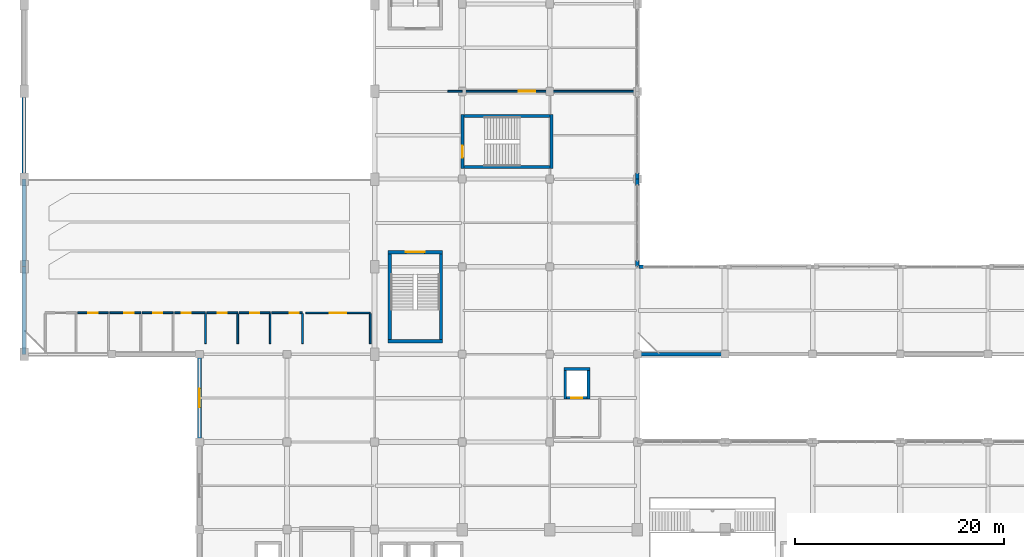
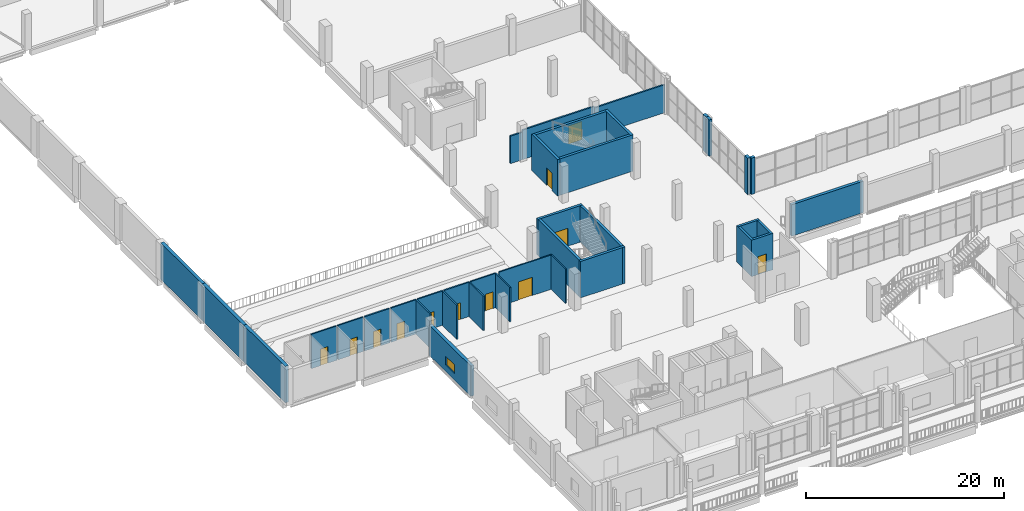
# One storey, part 58 of 75: 37 walls, 12 doors, 1 window, 13 openings.
"""IFC4 building model written with IfcOpenShell, lengths in metres."""

from ifc_helpers import new_model, si_unit, derived_unit, direction, frame, frame_2d, origin, place, context, subcontext, project, spatial, rectangle, extrude, material, layer, layer_set, type_object, element, fill, save


model = new_model("IFC4")

# Units and contexts
model_context = context("Model", 3, precision=1e-05, world=origin(), true_north=direction((0.0, 1.0)))
body_context = subcontext(model_context, "Body", "Model", "MODEL_VIEW")
ifc_project = project(units=[si_unit("LENGTHUNIT", "METRE"), si_unit("AREAUNIT", "SQUARE_METRE"), si_unit("VOLUMEUNIT", "CUBIC_METRE"), si_unit("PLANEANGLEUNIT", "RADIAN"), si_unit("MASSUNIT", "GRAM", prefix="KILO"), derived_unit("THERMALTRANSMITTANCEUNIT", [(si_unit("POWERUNIT", "WATT"), 1), (si_unit("LENGTHUNIT", "METRE"), -2), (si_unit("THERMODYNAMICTEMPERATUREUNIT", "KELVIN"), -1)])], contexts=[model_context])

# Site, building, storey
site_placement = place(None, origin())
site = spatial("IfcSite", under=ifc_project, at=site_placement, CompositionType="ELEMENT")
building_placement = place(site_placement, origin())
building = spatial("IfcBuilding", under=site, at=building_placement, Name="Barrovel Congress Hotel", CompositionType="ELEMENT")
storey_placement = place(building_placement, frame((0.0, 0.0, 5.39990234375)))
storey = spatial("IfcBuildingStorey", under=building, at=storey_placement, Name="L01", CompositionType="ELEMENT", Elevation=5.39990234375)

# Walls
ifc_material_1 = material(Name="Fired Clay Brick Masonry", Category="masonry")
ifc_layer_1 = layer(ifc_material_1, 0.340087890625)
ifc_layer_set_1 = layer_set([ifc_layer_1], Name="Fired Clay Brick Masonry")
wall_type_1 = type_object("IfcWallType", Name="EW-BRK340", PredefinedType="STANDARD", material=ifc_layer_set_1)
for number, where, z_axis, x_axis, name in (
    (1, (58.800048828125, 46.199951171875, 0.0), (0.0, 0.0, 1.0), (0.0, 1.0, 0.0), "EW:L01:CWJ-A:46.2"),
    (2, (58.800048828125, 54.0, 0.0), (0.0, 0.0, 1.0), (0.0, 1.0, 0.0), "EW:L01:CWJ-B:46.2"),
):
    element("IfcWall", number, at=place(storey_placement, frame(where, z_axis=z_axis, x_axis=x_axis)), inside=storey, type_object=wall_type_1, Name=name, PredefinedType="STANDARD", context=body_context, shape_type="SweptSolid", body=[
        extrude(rectangle(XDim=0.60009765625, YDim=0.340087890625, at=frame_2d((0.300048828125, 0.0))), origin(), (0.0, 0.0, 1.0), 4.5),
    ])
wall_1_placement = place(storey_placement, frame((58.800048828125, 54.60009765625, 0.0), z_axis=(0.0, 0.0, 1.0), x_axis=(0.0, 1.0, 0.0)))
element("IfcWall", 3, at=wall_1_placement, inside=storey, type_object=wall_type_1, Name="EW:L01:CWJ-A:54.6", PredefinedType="STANDARD", context=body_context, shape_type="SweptSolid", body=[
    extrude(rectangle(XDim=0.599853515625, YDim=0.340087890625, at=frame_2d((0.2998046875, 0.0))), origin(), (0.0, 0.0, 1.0), 4.5),
])
wall_2_placement = place(storey_placement, frame((59.39990234375, 46.199951171875, 0.0), z_axis=(0.0, 0.0, 1.0), x_axis=(-1.0, 0.0, 0.0)))
element("IfcWall", 4, at=wall_2_placement, inside=storey, type_object=wall_type_1, Name="EW:L01:CLJ-R:7", PredefinedType="STANDARD", context=body_context, shape_type="SweptSolid", body=[
    extrude(rectangle(XDim=0.429931640625, YDim=0.340087890625, at=frame_2d((0.21484375, 0.0))), origin(), (0.0, 0.0, 1.0), 4.5),
])
wall_3_placement = place(storey_placement, frame((58.800048828125, 37.800048828125, 0.0), z_axis=(0.0, 0.0, 1.0), x_axis=(1.0, 0.0, 0.0)))
element("IfcWall", 5, at=wall_3_placement, inside=storey, type_object=wall_type_1, Name="EW:L01:CLS:P01", PredefinedType="STANDARD", context=body_context, shape_type="SweptSolid", body=[
    extrude(rectangle(XDim=8.39990234375, YDim=0.340087890625, at=frame_2d((4.199951171875, 0.0))), origin(), (0.0, 0.0, 1.0), 3.885986328125),
])

# Wall, opening, window
ifc_layer_2 = layer(ifc_material_1, 0.360107421875)
ifc_layer_set_2 = layer_set([ifc_layer_2], Name="Fired Clay Brick Masonry")
wall_type_2 = type_object("IfcWallType", Name="EW-BRK360", PredefinedType="STANDARD", material=ifc_layer_set_2)
wall_4_placement = place(storey_placement, frame((16.800048828125, 37.800048828125, 0.0), z_axis=(0.0, 0.0, 1.0), x_axis=(0.0, -1.0, 0.0)))
wall_4 = element("IfcWall", 6, at=wall_4_placement, inside=storey, type_object=wall_type_2, Name="EW:L01:V4W:29.4", PredefinedType="STANDARD", context=body_context, shape_type="SweptSolid", body=[
    extrude(rectangle(XDim=8.400146484375, YDim=0.360107421875, at=frame_2d((4.2001953125, 0.0))), origin(), (0.0, 0.0, 1.0), 3.739990234375),
])
opening_1_placement = place(wall_4_placement, frame((3.300048828125, 0.0, 0.800048828125)))
opening_1 = element("IfcOpeningElement", 7, at=opening_1_placement, cuts=wall_4, Name="Opening WN-19", PredefinedType="OPENING", context=body_context, shape_type="SweptSolid", body=[
    extrude(rectangle(XDim=1.800048828125, YDim=1.10009765625, at=frame_2d((0.89990234375, 0.550048828125))), frame((0.0, 0.18994140625, 0.0), z_axis=(0.0, -1.0, 0.0), x_axis=(1.0, 0.0, 0.0)), (0.0, 0.0, 1.0), 0.380126953125),
])
ifc_material_2 = material(Name="Double Low-E Insulated Glazing", Category="glass")
window_type = type_object("IfcWindowType", Name="WIN-WN-19", PartitioningType="SINGLE_PANEL", PredefinedType="WINDOW", material=ifc_material_2)
window_placement = place(opening_1_placement, origin())
window = element("IfcWindow", 8, at=window_placement, inside=storey, type_object=window_type, Name="WIN:L01:V4W:29.4", OverallHeight=1.10009765625, OverallWidth=1.800048828125, PartitioningType="SINGLE_PANEL", PredefinedType="WINDOW", context=body_context, shape_type="SweptSolid", body=[
    extrude(rectangle(XDim=1.800048828125, YDim=1.10009765625, at=frame_2d((0.89990234375, 0.550048828125))), frame((0.0, 0.030029296875, 0.0), z_axis=(0.0, -1.0, 0.0), x_axis=(1.0, 0.0, 0.0)), (0.0, 0.0, 1.0), 0.06005859375),
])
fill(opening_1, window)

# Walls
ifc_layer_3 = layer(ifc_material_1, 0.3798828125)
ifc_layer_set_3 = layer_set([ifc_layer_3], Name="Fired Clay Brick Masonry")
wall_type_3 = type_object("IfcWallType", Name="EW-BRK380", PredefinedType="STANDARD", material=ifc_layer_set_3)
wall_5_placement = place(storey_placement, frame((0.0, 63.0, 0.0), z_axis=(0.0, 0.0, 1.0), x_axis=(0.0, -1.0, 0.0)))
element("IfcWall", 9, at=wall_5_placement, inside=storey, type_object=wall_type_3, Name="EW:L01:V1W:54.6", PredefinedType="STANDARD", context=body_context, shape_type="SweptSolid", body=[
    extrude(rectangle(XDim=8.39990234375, YDim=0.3798828125, at=frame_2d((4.199951171875, 0.0))), origin(), (0.0, 0.0, 1.0), 4.5),
])
wall_6_placement = place(storey_placement, frame((0.0, 54.60009765625, 0.0), z_axis=(0.0, 0.0, 1.0), x_axis=(0.0, -1.0, 0.0)))
element("IfcWall", 10, at=wall_6_placement, inside=storey, type_object=wall_type_3, Name="EW:L01:V1W:46.2", PredefinedType="STANDARD", context=body_context, shape_type="SweptSolid", body=[
    extrude(rectangle(XDim=8.400146484375, YDim=0.3798828125, at=frame_2d((4.2001953125, 0.0))), origin(), (0.0, 0.0, 1.0), 4.5),
])
wall_7_placement = place(storey_placement, frame((0.0, 46.199951171875, 0.0), z_axis=(0.0, 0.0, 1.0), x_axis=(0.0, -1.0, 0.0)))
element("IfcWall", 11, at=wall_7_placement, inside=storey, type_object=wall_type_3, Name="EW:L01:V1W:37.8", PredefinedType="STANDARD", context=body_context, shape_type="SweptSolid", body=[
    extrude(rectangle(XDim=8.39990234375, YDim=0.3798828125, at=frame_2d((4.199951171875, 0.0))), origin(), (0.0, 0.0, 1.0), 4.5),
])

# Wall, opening, door
ifc_material_3 = material(Name="Gypsum Acoustic Stud", Category="gypsum")
ifc_layer_4 = layer(ifc_material_3, 0.179931640625)
ifc_layer_set_4 = layer_set([ifc_layer_4], Name="Gypsum Acoustic Stud")
wall_type_4 = type_object("IfcWallType", Name="PW-ACU-180", PredefinedType="PARTITIONING", material=ifc_layer_set_4)
wall_8_placement = place(storey_placement, frame((42.0, 63.02001953125, 0.0), z_axis=(0.0, 0.0, 1.0), x_axis=(1.0, 0.0, 0.0)))
wall_8 = element("IfcWall", 12, at=wall_8_placement, inside=storey, type_object=wall_type_4, Name="RW:SP:L01:PRESS:S", PredefinedType="PARTITIONING", context=body_context, shape_type="SweptSolid", body=[
    extrude(rectangle(XDim=8.39990234375, YDim=0.179931640625, at=frame_2d((4.199951171875, 0.0))), origin(), (0.0, 0.0, 1.0), 3.63720703125),
])
opening_2_placement = place(wall_8_placement, frame((5.425048828125, 0.0, 0.0)))
opening_2 = element("IfcOpeningElement", 13, at=opening_2_placement, cuts=wall_8, Name="Opening ID-MTG", PredefinedType="OPENING", context=body_context, shape_type="SweptSolid", body=[
    extrude(rectangle(XDim=1.60009765625, YDim=2.25, at=frame_2d((0.800048828125, 1.125))), frame((0.0, 0.10009765625, 0.0), z_axis=(0.0, -1.0, 0.0), x_axis=(1.0, 0.0, 0.0)), (0.0, 0.0, 1.0), 0.199951171875),
])
ifc_material_4 = material(Name="Solid Oak Acoustic Timber Door", Category="wood")
door_type_1 = type_object("IfcDoorType", Name="IDR-ID-MTG", OperationType="NOTDEFINED", PredefinedType="DOOR", material=ifc_material_4)
door_1_placement = place(opening_2_placement, origin())
door_1 = element("IfcDoor", 14, at=door_1_placement, inside=storey, type_object=door_type_1, Name="RD:SP:L01:PRESS", OperationType="DOUBLE_DOOR_SINGLE_SWING", OverallHeight=2.25, OverallWidth=1.60009765625, PredefinedType="DOOR", context=body_context, shape_type="SweptSolid", body=[
    extrude(rectangle(XDim=1.60009765625, YDim=2.25, at=frame_2d((0.800048828125, 1.125))), frame((0.0, 0.02490234375, 0.0), z_axis=(0.0, -1.0, 0.0), x_axis=(1.0, 0.0, 0.0)), (0.0, 0.0, 1.0), 0.050048828125),
])
fill(opening_2, door_1)

# Walls
wall_9_placement = place(storey_placement, frame((40.6201171875, 63.02001953125, 0.0), z_axis=(0.0, 0.0, 1.0), x_axis=(1.0, 0.0, 0.0)))
element("IfcWall", 15, at=wall_9_placement, inside=storey, type_object=wall_type_4, Name="RW:SP:L01:PRESS:S:P01", PredefinedType="PARTITIONING", context=body_context, shape_type="SweptSolid", body=[
    extrude(rectangle(XDim=1.3798828125, YDim=0.179931640625, at=frame_2d((0.68994140625, 0.0))), origin(), (0.0, 0.0, 1.0), 3.39013671875),
])
wall_10_placement = place(storey_placement, frame((50.39990234375, 63.02001953125, 0.0), z_axis=(0.0, 0.0, 1.0), x_axis=(1.0, 0.0, 0.0)))
element("IfcWall", 16, at=wall_10_placement, inside=storey, type_object=wall_type_4, Name="RW:SP:L01:PRESS:S:P03", PredefinedType="PARTITIONING", context=body_context, shape_type="SweptSolid", body=[
    extrude(rectangle(XDim=8.22998046875, YDim=0.179931640625, at=frame_2d((4.114990234375, 0.0))), origin(), (0.0, 0.0, 1.0), 3.440185546875),
])

# Wall, opening, door
ifc_layer_5 = layer(ifc_material_3, 0.159912109375)
ifc_layer_set_5 = layer_set([ifc_layer_5], Name="Gypsum Acoustic Stud")
wall_type_5 = type_object("IfcWallType", Name="PW-SIB-160", PredefinedType="PARTITIONING", material=ifc_layer_set_5)
wall_11_placement = place(storey_placement, frame((5.1201171875, 41.780029296875, 0.0), z_axis=(0.0, 0.0, 1.0), x_axis=(1.0, 0.0, 0.0)))
wall_11 = element("IfcWall", 17, at=wall_11_placement, inside=storey, type_object=wall_type_5, Name="RW:SP:L01:SIB-02:N", PredefinedType="PARTITIONING", context=body_context, shape_type="SweptSolid", body=[
    extrude(rectangle(XDim=2.9599609375, YDim=0.159912109375, at=frame_2d((1.47998046875, 0.0))), origin(), (0.0, 0.0, 1.0), 4.235107421875),
])
opening_3_placement = place(wall_11_placement, frame((1.0400390625, 0.0, 0.0)))
opening_3 = element("IfcOpeningElement", 18, at=opening_3_placement, cuts=wall_11, Name="Opening ID-SIB", PredefinedType="OPENING", context=body_context, shape_type="SweptSolid", body=[
    extrude(rectangle(XDim=0.8798828125, YDim=2.050048828125, at=frame_2d((0.43994140625, 1.02490234375))), frame((0.0, 0.08984375, 0.0), z_axis=(0.0, -1.0, 0.0), x_axis=(1.0, 0.0, 0.0)), (0.0, 0.0, 1.0), 0.179931640625),
])
door_type_2 = type_object("IfcDoorType", Name="IDR-ID-SIB", OperationType="NOTDEFINED", PredefinedType="DOOR", material=ifc_material_4)
door_2_placement = place(opening_3_placement, origin())
door_2 = element("IfcDoor", 19, at=door_2_placement, inside=storey, type_object=door_type_2, Name="RD:SP:L01:SIB-02", OperationType="SINGLE_SWING_RIGHT", OverallHeight=2.050048828125, OverallWidth=0.8798828125, PredefinedType="DOOR", context=body_context, shape_type="SweptSolid", body=[
    extrude(rectangle(XDim=0.8798828125, YDim=2.050048828125, at=frame_2d((0.43994140625, 1.02490234375))), frame((0.0, 0.02490234375, 0.0), z_axis=(0.0, -1.0, 0.0), x_axis=(1.0, 0.0, 0.0)), (0.0, 0.0, 1.0), 0.050048828125),
])
fill(opening_3, door_2)

wall_12_placement = place(storey_placement, frame((8.219970703125, 41.780029296875, 0.0), z_axis=(0.0, 0.0, 1.0), x_axis=(1.0, 0.0, 0.0)))
wall_12 = element("IfcWall", 20, at=wall_12_placement, inside=storey, type_object=wall_type_5, Name="RW:SP:L01:SIB-03:N", PredefinedType="PARTITIONING", context=body_context, shape_type="SweptSolid", body=[
    extrude(rectangle(XDim=2.9599609375, YDim=0.159912109375, at=frame_2d((1.47998046875, 0.0))), origin(), (0.0, 0.0, 1.0), 4.235107421875),
])
opening_4_placement = place(wall_12_placement, frame((1.389892578125, 0.0, 0.0)))
opening_4 = element("IfcOpeningElement", 21, at=opening_4_placement, cuts=wall_12, Name="Opening ID-SIB", PredefinedType="OPENING", context=body_context, shape_type="SweptSolid", body=[
    extrude(rectangle(XDim=0.8798828125, YDim=2.050048828125, at=frame_2d((0.43994140625, 1.02490234375))), frame((0.0, 0.08984375, 0.0), z_axis=(0.0, -1.0, 0.0), x_axis=(1.0, 0.0, 0.0)), (0.0, 0.0, 1.0), 0.179931640625),
])
door_3_placement = place(opening_4_placement, origin())
door_3 = element("IfcDoor", 22, at=door_3_placement, inside=storey, type_object=door_type_2, Name="RD:SP:L01:SIB-03", OperationType="SINGLE_SWING_LEFT", OverallHeight=2.050048828125, OverallWidth=0.8798828125, PredefinedType="DOOR", context=body_context, shape_type="SweptSolid", body=[
    extrude(rectangle(XDim=0.8798828125, YDim=2.050048828125, at=frame_2d((0.43994140625, 1.02490234375))), frame((0.0, 0.02490234375, 0.0), z_axis=(0.0, -1.0, 0.0), x_axis=(1.0, 0.0, 0.0)), (0.0, 0.0, 1.0), 0.050048828125),
])
fill(opening_4, door_3)

wall_13_placement = place(storey_placement, frame((11.320068359375, 41.780029296875, 0.0), z_axis=(0.0, 0.0, 1.0), x_axis=(1.0, 0.0, 0.0)))
wall_13 = element("IfcWall", 23, at=wall_13_placement, inside=storey, type_object=wall_type_5, Name="RW:SP:L01:SIB-04:N", PredefinedType="PARTITIONING", context=body_context, shape_type="SweptSolid", body=[
    extrude(rectangle(XDim=2.9599609375, YDim=0.159912109375, at=frame_2d((1.47998046875, 0.0))), origin(), (0.0, 0.0, 1.0), 4.235107421875),
])
opening_5_placement = place(wall_13_placement, frame((1.0400390625, 0.0, 0.0)))
opening_5 = element("IfcOpeningElement", 24, at=opening_5_placement, cuts=wall_13, Name="Opening ID-SIB", PredefinedType="OPENING", context=body_context, shape_type="SweptSolid", body=[
    extrude(rectangle(XDim=0.8798828125, YDim=2.050048828125, at=frame_2d((0.43994140625, 1.02490234375))), frame((0.0, 0.08984375, 0.0), z_axis=(0.0, -1.0, 0.0), x_axis=(1.0, 0.0, 0.0)), (0.0, 0.0, 1.0), 0.179931640625),
])
door_4_placement = place(opening_5_placement, origin())
door_4 = element("IfcDoor", 25, at=door_4_placement, inside=storey, type_object=door_type_2, Name="RD:SP:L01:SIB-04", OperationType="SINGLE_SWING_RIGHT", OverallHeight=2.050048828125, OverallWidth=0.8798828125, PredefinedType="DOOR", context=body_context, shape_type="SweptSolid", body=[
    extrude(rectangle(XDim=0.8798828125, YDim=2.050048828125, at=frame_2d((0.43994140625, 1.02490234375))), frame((0.0, 0.02490234375, 0.0), z_axis=(0.0, -1.0, 0.0), x_axis=(1.0, 0.0, 0.0)), (0.0, 0.0, 1.0), 0.050048828125),
])
fill(opening_5, door_4)

wall_14_placement = place(storey_placement, frame((14.419921875, 41.780029296875, 0.0), z_axis=(0.0, 0.0, 1.0), x_axis=(1.0, 0.0, 0.0)))
wall_14 = element("IfcWall", 26, at=wall_14_placement, inside=storey, type_object=wall_type_5, Name="RW:SP:L01:SIB-05:N", PredefinedType="PARTITIONING", context=body_context, shape_type="SweptSolid", body=[
    extrude(rectangle(XDim=2.9599609375, YDim=0.159912109375, at=frame_2d((1.47998046875, 0.0))), origin(), (0.0, 0.0, 1.0), 4.235107421875),
])
opening_6_placement = place(wall_14_placement, frame((0.68994140625, 0.0, 0.0)))
opening_6 = element("IfcOpeningElement", 27, at=opening_6_placement, cuts=wall_14, Name="Opening ID-SIB", PredefinedType="OPENING", context=body_context, shape_type="SweptSolid", body=[
    extrude(rectangle(XDim=0.8798828125, YDim=2.050048828125, at=frame_2d((0.43994140625, 1.02490234375))), frame((0.0, 0.08984375, 0.0), z_axis=(0.0, -1.0, 0.0), x_axis=(1.0, 0.0, 0.0)), (0.0, 0.0, 1.0), 0.179931640625),
])
door_5_placement = place(opening_6_placement, origin())
door_5 = element("IfcDoor", 28, at=door_5_placement, inside=storey, type_object=door_type_2, Name="RD:SP:L01:SIB-05", OperationType="SINGLE_SWING_LEFT", OverallHeight=2.050048828125, OverallWidth=0.8798828125, PredefinedType="DOOR", context=body_context, shape_type="SweptSolid", body=[
    extrude(rectangle(XDim=0.8798828125, YDim=2.050048828125, at=frame_2d((0.43994140625, 1.02490234375))), frame((0.0, 0.02490234375, 0.0), z_axis=(0.0, -1.0, 0.0), x_axis=(1.0, 0.0, 0.0)), (0.0, 0.0, 1.0), 0.050048828125),
])
fill(opening_6, door_5)

# Wall
wall_15_placement = place(storey_placement, frame((17.3798828125, 38.820068359375, 0.0), z_axis=(0.0, 0.0, 1.0), x_axis=(0.0, 1.0, 0.0)))
element("IfcWall", 29, at=wall_15_placement, inside=storey, type_object=wall_type_5, Name="RW:SP:L01:SIB-05:E", PredefinedType="PARTITIONING", context=body_context, shape_type="SweptSolid", body=[
    extrude(rectangle(XDim=2.8798828125, YDim=0.159912109375, at=frame_2d((1.43994140625, 0.0))), origin(), (0.0, 0.0, 1.0), 4.235107421875),
])

# Wall, opening, door
wall_16_placement = place(storey_placement, frame((17.52001953125, 41.780029296875, 0.0), z_axis=(0.0, 0.0, 1.0), x_axis=(1.0, 0.0, 0.0)))
wall_16 = element("IfcWall", 30, at=wall_16_placement, inside=storey, type_object=wall_type_5, Name="RW:SP:L01:SIB-06:N", PredefinedType="PARTITIONING", context=body_context, shape_type="SweptSolid", body=[
    extrude(rectangle(XDim=2.9599609375, YDim=0.159912109375, at=frame_2d((1.47998046875, 0.0))), origin(), (0.0, 0.0, 1.0), 4.235107421875),
])
opening_7_placement = place(wall_16_placement, frame((1.0400390625, 0.0, 0.0)))
opening_7 = element("IfcOpeningElement", 31, at=opening_7_placement, cuts=wall_16, Name="Opening ID-SIB", PredefinedType="OPENING", context=body_context, shape_type="SweptSolid", body=[
    extrude(rectangle(XDim=0.8798828125, YDim=2.050048828125, at=frame_2d((0.43994140625, 1.02490234375))), frame((0.0, 0.08984375, 0.0), z_axis=(0.0, -1.0, 0.0), x_axis=(1.0, 0.0, 0.0)), (0.0, 0.0, 1.0), 0.179931640625),
])
door_6_placement = place(opening_7_placement, origin())
door_6 = element("IfcDoor", 32, at=door_6_placement, inside=storey, type_object=door_type_2, Name="RD:SP:L01:SIB-06", OperationType="SINGLE_SWING_RIGHT", OverallHeight=2.050048828125, OverallWidth=0.8798828125, PredefinedType="DOOR", context=body_context, shape_type="SweptSolid", body=[
    extrude(rectangle(XDim=0.8798828125, YDim=2.050048828125, at=frame_2d((0.43994140625, 1.02490234375))), frame((0.0, 0.02490234375, 0.0), z_axis=(0.0, -1.0, 0.0), x_axis=(1.0, 0.0, 0.0)), (0.0, 0.0, 1.0), 0.050048828125),
])
fill(opening_7, door_6)

# Wall
wall_17_placement = place(storey_placement, frame((20.47998046875, 38.820068359375, 0.0), z_axis=(0.0, 0.0, 1.0), x_axis=(0.0, 1.0, 0.0)))
element("IfcWall", 33, at=wall_17_placement, inside=storey, type_object=wall_type_5, Name="RW:SP:L01:SIB-06:E", PredefinedType="PARTITIONING", context=body_context, shape_type="SweptSolid", body=[
    extrude(rectangle(XDim=2.8798828125, YDim=0.159912109375, at=frame_2d((1.43994140625, 0.0))), origin(), (0.0, 0.0, 1.0), 4.235107421875),
])

# Wall, opening, door
wall_18_placement = place(storey_placement, frame((20.6201171875, 41.780029296875, 0.0), z_axis=(0.0, 0.0, 1.0), x_axis=(1.0, 0.0, 0.0)))
wall_18 = element("IfcWall", 34, at=wall_18_placement, inside=storey, type_object=wall_type_5, Name="RW:SP:L01:SIB-07:N", PredefinedType="PARTITIONING", context=body_context, shape_type="SweptSolid", body=[
    extrude(rectangle(XDim=2.9599609375, YDim=0.159912109375, at=frame_2d((1.47998046875, 0.0))), origin(), (0.0, 0.0, 1.0), 4.235107421875),
])
opening_8_placement = place(wall_18_placement, frame((1.0400390625, 0.0, 0.0)))
opening_8 = element("IfcOpeningElement", 35, at=opening_8_placement, cuts=wall_18, Name="Opening ID-SIB", PredefinedType="OPENING", context=body_context, shape_type="SweptSolid", body=[
    extrude(rectangle(XDim=0.8798828125, YDim=2.050048828125, at=frame_2d((0.43994140625, 1.02490234375))), frame((0.0, 0.08984375, 0.0), z_axis=(0.0, -1.0, 0.0), x_axis=(1.0, 0.0, 0.0)), (0.0, 0.0, 1.0), 0.179931640625),
])
door_7_placement = place(opening_8_placement, origin())
door_7 = element("IfcDoor", 36, at=door_7_placement, inside=storey, type_object=door_type_2, Name="RD:SP:L01:SIB-07", OperationType="SINGLE_SWING_LEFT", OverallHeight=2.050048828125, OverallWidth=0.8798828125, PredefinedType="DOOR", context=body_context, shape_type="SweptSolid", body=[
    extrude(rectangle(XDim=0.8798828125, YDim=2.050048828125, at=frame_2d((0.43994140625, 1.02490234375))), frame((0.0, 0.02490234375, 0.0), z_axis=(0.0, -1.0, 0.0), x_axis=(1.0, 0.0, 0.0)), (0.0, 0.0, 1.0), 0.050048828125),
])
fill(opening_8, door_7)

# Wall
wall_19_placement = place(storey_placement, frame((23.580078125, 38.820068359375, 0.0), z_axis=(0.0, 0.0, 1.0), x_axis=(0.0, 1.0, 0.0)))
element("IfcWall", 37, at=wall_19_placement, inside=storey, type_object=wall_type_5, Name="RW:SP:L01:SIB-07:E", PredefinedType="PARTITIONING", context=body_context, shape_type="SweptSolid", body=[
    extrude(rectangle(XDim=2.8798828125, YDim=0.159912109375, at=frame_2d((1.43994140625, 0.0))), origin(), (0.0, 0.0, 1.0), 4.235107421875),
])

# Wall, opening, door
wall_20_placement = place(storey_placement, frame((23.719970703125, 41.780029296875, 0.0), z_axis=(0.0, 0.0, 1.0), x_axis=(1.0, 0.0, 0.0)))
wall_20 = element("IfcWall", 38, at=wall_20_placement, inside=storey, type_object=wall_type_5, Name="RW:SP:L01:SIB-08:N", PredefinedType="PARTITIONING", context=body_context, shape_type="SweptSolid", body=[
    extrude(rectangle(XDim=2.9599609375, YDim=0.159912109375, at=frame_2d((1.47998046875, 0.0))), origin(), (0.0, 0.0, 1.0), 4.235107421875),
])
opening_9_placement = place(wall_20_placement, frame((1.739990234375, 0.0, 0.0)))
opening_9 = element("IfcOpeningElement", 39, at=opening_9_placement, cuts=wall_20, Name="Opening ID-SIB", PredefinedType="OPENING", context=body_context, shape_type="SweptSolid", body=[
    extrude(rectangle(XDim=0.8798828125, YDim=2.050048828125, at=frame_2d((0.43994140625, 1.02490234375))), frame((0.0, 0.08984375, 0.0), z_axis=(0.0, -1.0, 0.0), x_axis=(1.0, 0.0, 0.0)), (0.0, 0.0, 1.0), 0.179931640625),
])
door_8_placement = place(opening_9_placement, origin())
door_8 = element("IfcDoor", 40, at=door_8_placement, inside=storey, type_object=door_type_2, Name="RD:SP:L01:SIB-08", OperationType="SINGLE_SWING_RIGHT", OverallHeight=2.050048828125, OverallWidth=0.8798828125, PredefinedType="DOOR", context=body_context, shape_type="SweptSolid", body=[
    extrude(rectangle(XDim=0.8798828125, YDim=2.050048828125, at=frame_2d((0.43994140625, 1.02490234375))), frame((0.0, 0.02490234375, 0.0), z_axis=(0.0, -1.0, 0.0), x_axis=(1.0, 0.0, 0.0)), (0.0, 0.0, 1.0), 0.050048828125),
])
fill(opening_9, door_8)

# Wall
wall_21_placement = place(storey_placement, frame((26.679931640625, 38.820068359375, 0.0), z_axis=(0.0, 0.0, 1.0), x_axis=(0.0, 1.0, 0.0)))
element("IfcWall", 41, at=wall_21_placement, inside=storey, type_object=wall_type_5, Name="RW:SP:L01:SIB-08:E", PredefinedType="PARTITIONING", context=body_context, shape_type="SweptSolid", body=[
    extrude(rectangle(XDim=2.8798828125, YDim=0.159912109375, at=frame_2d((1.43994140625, 0.0))), origin(), (0.0, 0.0, 1.0), 4.235107421875),
])

# Wall, opening, door
ifc_layer_6 = layer(ifc_material_3, 0.14990234375)
ifc_layer_set_6 = layer_set([ifc_layer_6], Name="Gypsum Acoustic Stud")
wall_type_6 = type_object("IfcWallType", Name="PW-STD-150", PredefinedType="PARTITIONING", material=ifc_layer_set_6)
wall_22_placement = place(storey_placement, frame((27.02001953125, 41.780029296875, 0.0), z_axis=(0.0, 0.0, 1.0), x_axis=(1.0, 0.0, 0.0)))
wall_22 = element("IfcWall", 42, at=wall_22_placement, inside=storey, type_object=wall_type_6, Name="RW:SP:L01:AV-CTL:N", PredefinedType="PARTITIONING", context=body_context, shape_type="SweptSolid", body=[
    extrude(rectangle(XDim=6.159912109375, YDim=0.14990234375, at=frame_2d((3.080078125, 0.0))), origin(), (0.0, 0.0, 1.0), 4.235107421875),
])
opening_10_placement = place(wall_22_placement, frame((2.280029296875, 0.0, 0.0)))
opening_10 = element("IfcOpeningElement", 43, at=opening_10_placement, cuts=wall_22, Name="Opening ID-MTG", PredefinedType="OPENING", context=body_context, shape_type="SweptSolid", body=[
    extrude(rectangle(XDim=1.60009765625, YDim=2.25, at=frame_2d((0.800048828125, 1.125))), frame((0.0, 0.0849609375, 0.0), z_axis=(0.0, -1.0, 0.0), x_axis=(1.0, 0.0, 0.0)), (0.0, 0.0, 1.0), 0.169921875),
])
door_9_placement = place(opening_10_placement, origin())
door_9 = element("IfcDoor", 44, at=door_9_placement, inside=storey, type_object=door_type_1, Name="RD:SP:L01:AV-CTL", OperationType="DOUBLE_DOOR_SINGLE_SWING", OverallHeight=2.25, OverallWidth=1.60009765625, PredefinedType="DOOR", context=body_context, shape_type="SweptSolid", body=[
    extrude(rectangle(XDim=1.60009765625, YDim=2.25, at=frame_2d((0.800048828125, 1.125))), frame((0.0, 0.02490234375, 0.0), z_axis=(0.0, -1.0, 0.0), x_axis=(1.0, 0.0, 0.0)), (0.0, 0.0, 1.0), 0.050048828125),
])
fill(opening_10, door_9)

# Wall
wall_23_placement = place(storey_placement, frame((33.179931640625, 38.820068359375, 0.0), z_axis=(0.0, 0.0, 1.0), x_axis=(0.0, 1.0, 0.0)))
element("IfcWall", 45, at=wall_23_placement, inside=storey, type_object=wall_type_6, Name="RW:SP:L01:AV-CTL:E", PredefinedType="PARTITIONING", context=body_context, shape_type="SweptSolid", body=[
    extrude(rectangle(XDim=2.885009765625, YDim=0.14990234375, at=frame_2d((1.4423828125, 0.0))), origin(), (0.0, 0.0, 1.0), 4.235107421875),
])

# Wall, opening, door
ifc_material_5 = material(Name="Concrete C40", Category="concrete")
ifc_layer_7 = layer(ifc_material_5, 0.280029296875)
ifc_layer_set_7 = layer_set([ifc_layer_7], Name="Concrete C40")
wall_type_7 = type_object("IfcWallType", Name="SW-C40-280", PredefinedType="SHEAR", material=ifc_layer_set_7)
wall_24_placement = place(storey_placement, frame((51.739990234375, 33.6298828125, 0.0), z_axis=(0.0, 0.0, 1.0), x_axis=(1.0, 0.0, 0.0)))
wall_24 = element("IfcWall", 46, at=wall_24_placement, inside=storey, type_object=wall_type_7, Name="LSH:CL-1:L01:S", PredefinedType="SHEAR", context=body_context, shape_type="SweptSolid", body=[
    extrude(rectangle(XDim=2.52001953125, YDim=0.280029296875, at=frame_2d((1.260009765625, 0.0))), origin(), (0.0, 0.0, 1.0), 4.5),
])
opening_11_placement = place(wall_24_placement, frame((0.735107421875, 0.0, 0.0)))
opening_11 = element("IfcOpeningElement", 47, at=opening_11_placement, cuts=wall_24, Name="Opening LD-PAX", PredefinedType="OPENING", context=body_context, shape_type="SweptSolid", body=[
    extrude(rectangle(XDim=1.050048828125, YDim=2.199951171875, at=frame_2d((0.52490234375, 1.10009765625))), frame((0.0, 0.14990234375, 0.0), z_axis=(0.0, -1.0, 0.0), x_axis=(1.0, 0.0, 0.0)), (0.0, 0.0, 1.0), 0.300048828125),
])
ifc_material_6 = material(Name="Brushed Stainless Steel", Category="steel")
door_type_3 = type_object("IfcDoorType", Name="IDR-LD-PAX", OperationType="NOTDEFINED", PredefinedType="DOOR", material=ifc_material_6)
door_10_placement = place(opening_11_placement, origin())
door_10 = element("IfcDoor", 48, at=door_10_placement, inside=storey, type_object=door_type_3, Name="Lift Landing Door LD-CL-1-L01", OperationType="SLIDING_TO_LEFT", OverallHeight=2.199951171875, OverallWidth=1.050048828125, PredefinedType="DOOR", context=body_context, shape_type="SweptSolid", body=[
    extrude(rectangle(XDim=1.050048828125, YDim=2.199951171875, at=frame_2d((0.52490234375, 1.10009765625))), frame((0.0, 0.02490234375, 0.0), z_axis=(0.0, -1.0, 0.0), x_axis=(1.0, 0.0, 0.0)), (0.0, 0.0, 1.0), 0.050048828125),
])
fill(opening_11, door_10)

# Walls
wall_25_placement = place(storey_placement, frame((54.1201171875, 33.489990234375, 0.0), z_axis=(0.0, 0.0, 1.0), x_axis=(0.0, 1.0, 0.0)))
element("IfcWall", 49, at=wall_25_placement, inside=storey, type_object=wall_type_7, Name="LSH:CL-1:L01:E", PredefinedType="SHEAR", context=body_context, shape_type="SweptSolid", body=[
    extrude(rectangle(XDim=3.02001953125, YDim=0.280029296875, at=frame_2d((1.510009765625, 0.0))), origin(), (0.0, 0.0, 1.0), 4.5),
])
wall_26_placement = place(storey_placement, frame((54.260009765625, 36.3701171875, 0.0), z_axis=(0.0, 0.0, 1.0), x_axis=(-1.0, 0.0, 0.0)))
element("IfcWall", 50, at=wall_26_placement, inside=storey, type_object=wall_type_7, Name="LSH:CL-1:L01:N", PredefinedType="SHEAR", context=body_context, shape_type="SweptSolid", body=[
    extrude(rectangle(XDim=2.52001953125, YDim=0.280029296875, at=frame_2d((1.260009765625, 0.0))), origin(), (0.0, 0.0, 1.0), 4.5),
])
wall_27_placement = place(storey_placement, frame((51.8798828125, 36.510009765625, 0.0), z_axis=(0.0, 0.0, 1.0), x_axis=(0.0, -1.0, 0.0)))
element("IfcWall", 51, at=wall_27_placement, inside=storey, type_object=wall_type_7, Name="LSH:CL-1:L01:W", PredefinedType="SHEAR", context=body_context, shape_type="SweptSolid", body=[
    extrude(rectangle(XDim=3.02001953125, YDim=0.280029296875, at=frame_2d((1.510009765625, 0.0))), origin(), (0.0, 0.0, 1.0), 4.5),
])
ifc_layer_8 = layer(ifc_material_5, 0.300048828125)
ifc_layer_set_8 = layer_set([ifc_layer_8], Name="Concrete C40")
wall_type_8 = type_object("IfcWallType", Name="SW-C40-300", PredefinedType="SHEAR", material=ifc_layer_set_8)
wall_28_placement = place(storey_placement, frame((41.860107421875, 55.75, 0.0), z_axis=(0.0, 0.0, 1.0), x_axis=(1.0, 0.0, 0.0)))
element("IfcWall", 52, at=wall_28_placement, inside=storey, type_object=wall_type_8, Name="SHW:XS-05:L01:S", PredefinedType="SHEAR", context=body_context, shape_type="SweptSolid", body=[
    extrude(rectangle(XDim=8.83984375, YDim=0.300048828125, at=frame_2d((4.419921875, 0.0))), origin(), (0.0, 0.0, 1.0), 4.5),
])
wall_29_placement = place(storey_placement, frame((50.550048828125, 55.60009765625, 0.0), z_axis=(0.0, 0.0, 1.0), x_axis=(0.0, 1.0, 0.0)))
element("IfcWall", 53, at=wall_29_placement, inside=storey, type_object=wall_type_8, Name="SHW:XS-05:L01:E", PredefinedType="SHEAR", context=body_context, shape_type="SweptSolid", body=[
    extrude(rectangle(XDim=5.199951171875, YDim=0.300048828125, at=frame_2d((2.60009765625, 0.0))), origin(), (0.0, 0.0, 1.0), 4.5),
])
wall_30_placement = place(storey_placement, frame((50.699951171875, 60.64990234375, 0.0), z_axis=(0.0, 0.0, 1.0), x_axis=(-1.0, 0.0, 0.0)))
element("IfcWall", 54, at=wall_30_placement, inside=storey, type_object=wall_type_8, Name="SHW:XS-05:L01:N", PredefinedType="SHEAR", context=body_context, shape_type="SweptSolid", body=[
    extrude(rectangle(XDim=8.83984375, YDim=0.300048828125, at=frame_2d((4.419921875, 0.0))), origin(), (0.0, 0.0, 1.0), 4.5),
])

# Wall, opening, door
wall_31_placement = place(storey_placement, frame((42.010009765625, 60.800048828125, 0.0), z_axis=(0.0, 0.0, 1.0), x_axis=(0.0, -1.0, 0.0)))
wall_31 = element("IfcWall", 55, at=wall_31_placement, inside=storey, type_object=wall_type_8, Name="SHW:XS-05:L01:W", PredefinedType="SHEAR", context=body_context, shape_type="SweptSolid", body=[
    extrude(rectangle(XDim=5.199951171875, YDim=0.300048828125, at=frame_2d((2.60009765625, 0.0))), origin(), (0.0, 0.0, 1.0), 4.5),
])
opening_12_placement = place(wall_31_placement, frame((3.0, 0.0, 0.0)))
opening_12 = element("IfcOpeningElement", 56, at=opening_12_placement, cuts=wall_31, Name="Opening ID-ST1", PredefinedType="OPENING", context=body_context, shape_type="SweptSolid", body=[
    extrude(rectangle(XDim=1.14990234375, YDim=2.14990234375, at=frame_2d((0.574951171875, 1.074951171875))), frame((0.0, 0.16015625, 0.0), z_axis=(0.0, -1.0, 0.0), x_axis=(1.0, 0.0, 0.0)), (0.0, 0.0, 1.0), 0.320068359375),
])
ifc_material_7 = material(Name="Painted Hollow-Metal Steel Door", Category="steel")
door_type_4 = type_object("IfcDoorType", Name="IDR-ID-ST1", OperationType="NOTDEFINED", PredefinedType="DOOR", material=ifc_material_7)
door_11_placement = place(opening_12_placement, origin())
door_11 = element("IfcDoor", 57, at=door_11_placement, inside=storey, type_object=door_type_4, Name="Stair Core Fire Door XS-05-L01", OperationType="SINGLE_SWING_RIGHT", OverallHeight=2.14990234375, OverallWidth=1.14990234375, PredefinedType="DOOR", context=body_context, shape_type="SweptSolid", body=[
    extrude(rectangle(XDim=1.14990234375, YDim=2.14990234375, at=frame_2d((0.574951171875, 1.074951171875))), frame((0.0, 0.02490234375, 0.0), z_axis=(0.0, -1.0, 0.0), x_axis=(1.0, 0.0, 0.0)), (0.0, 0.0, 1.0), 0.050048828125),
])
fill(opening_12, door_11)

# Walls
wall_32_placement = place(storey_placement, frame((34.89990234375, 39.050048828125, 0.0), z_axis=(0.0, 0.0, 1.0), x_axis=(1.0, 0.0, 0.0)))
element("IfcWall", 58, at=wall_32_placement, inside=storey, type_object=wall_type_8, Name="SHW:XS-08:L01:S", PredefinedType="SHEAR", context=body_context, shape_type="SweptSolid", body=[
    extrude(rectangle(XDim=5.2001953125, YDim=0.300048828125, at=frame_2d((2.60009765625, 0.0))), origin(), (0.0, 0.0, 1.0), 4.5),
])
wall_33_placement = place(storey_placement, frame((39.949951171875, 38.89990234375, 0.0), z_axis=(0.0, 0.0, 1.0), x_axis=(0.0, 1.0, 0.0)))
element("IfcWall", 59, at=wall_33_placement, inside=storey, type_object=wall_type_8, Name="SHW:XS-08:L01:E", PredefinedType="SHEAR", context=body_context, shape_type="SweptSolid", body=[
    extrude(rectangle(XDim=8.840087890625, YDim=0.300048828125, at=frame_2d((4.419921875, 0.0))), origin(), (0.0, 0.0, 1.0), 4.5),
])

# Wall, opening, door
wall_34_placement = place(storey_placement, frame((40.10009765625, 47.590087890625, 0.0), z_axis=(0.0, 0.0, 1.0), x_axis=(-1.0, 0.0, 0.0)))
wall_34 = element("IfcWall", 60, at=wall_34_placement, inside=storey, type_object=wall_type_8, Name="SHW:XS-08:L01:N", PredefinedType="SHEAR", context=body_context, shape_type="SweptSolid", body=[
    extrude(rectangle(XDim=5.2001953125, YDim=0.300048828125, at=frame_2d((2.60009765625, 0.0))), origin(), (0.0, 0.0, 1.0), 4.5),
])
opening_13_placement = place(wall_34_placement, frame((1.699951171875, 0.0, 0.0)))
opening_13 = element("IfcOpeningElement", 61, at=opening_13_placement, cuts=wall_34, Name="Opening ID-ST2", PredefinedType="OPENING", context=body_context, shape_type="SweptSolid", body=[
    extrude(rectangle(XDim=1.800048828125, YDim=2.199951171875, at=frame_2d((0.89990234375, 1.10009765625))), frame((0.0, 0.16015625, 0.0), z_axis=(0.0, -1.0, 0.0), x_axis=(1.0, 0.0, 0.0)), (0.0, 0.0, 1.0), 0.320068359375),
])
door_type_5 = type_object("IfcDoorType", Name="IDR-ID-ST2", OperationType="NOTDEFINED", PredefinedType="DOOR", material=ifc_material_7)
door_12_placement = place(opening_13_placement, origin())
door_12 = element("IfcDoor", 62, at=door_12_placement, inside=storey, type_object=door_type_5, Name="Stair Core Fire Door XS-08-L01", OperationType="DOUBLE_DOOR_SINGLE_SWING", OverallHeight=2.199951171875, OverallWidth=1.800048828125, PredefinedType="DOOR", context=body_context, shape_type="SweptSolid", body=[
    extrude(rectangle(XDim=1.800048828125, YDim=2.199951171875, at=frame_2d((0.89990234375, 1.10009765625))), frame((0.0, 0.02490234375, 0.0), z_axis=(0.0, -1.0, 0.0), x_axis=(1.0, 0.0, 0.0)), (0.0, 0.0, 1.0), 0.050048828125),
])
fill(opening_13, door_12)

# Wall
wall_35_placement = place(storey_placement, frame((35.050048828125, 47.739990234375, 0.0), z_axis=(0.0, 0.0, 1.0), x_axis=(0.0, -1.0, 0.0)))
element("IfcWall", 63, at=wall_35_placement, inside=storey, type_object=wall_type_8, Name="SHW:XS-08:L01:W", PredefinedType="SHEAR", context=body_context, shape_type="SweptSolid", body=[
    extrude(rectangle(XDim=8.840087890625, YDim=0.300048828125, at=frame_2d((4.419921875, 0.0))), origin(), (0.0, 0.0, 1.0), 4.5),
])

save(model, "model.ifc")
